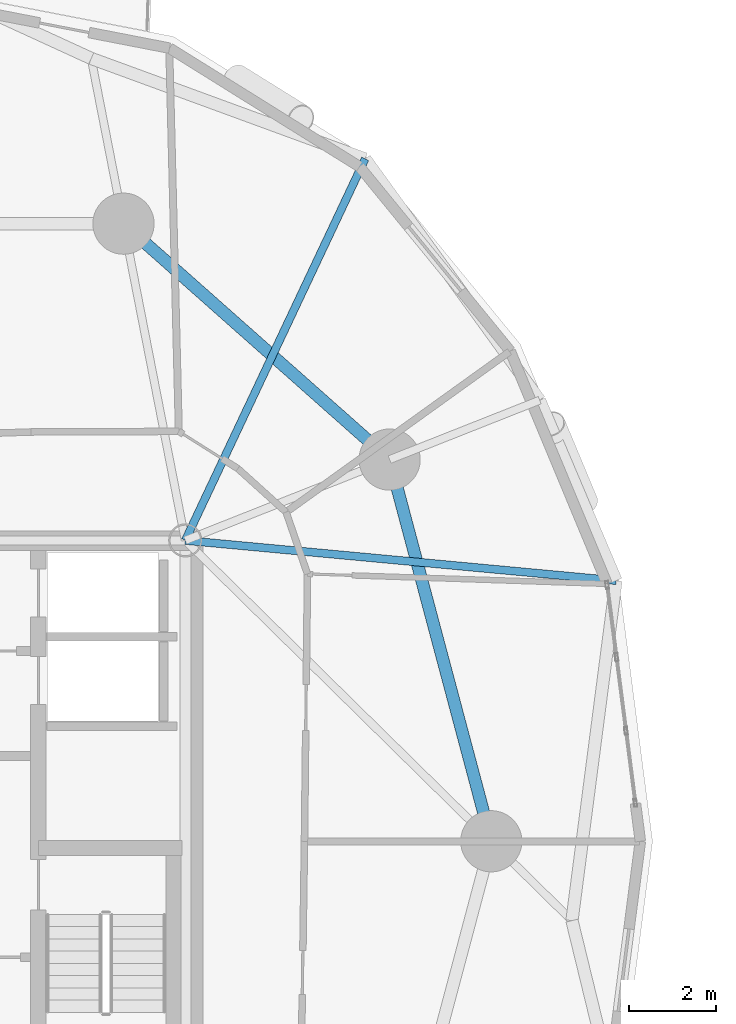
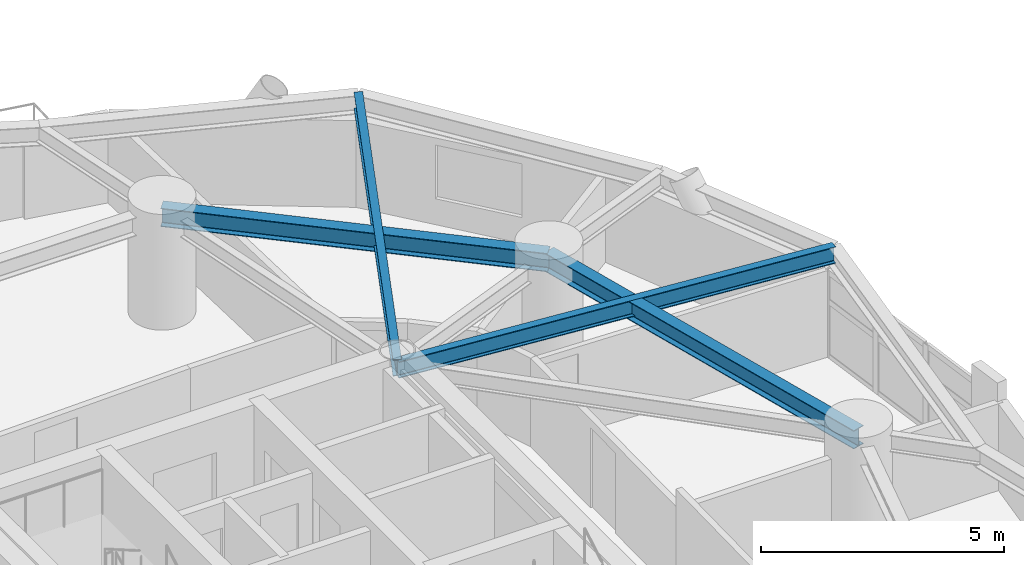
# One storey, part 3 of 17: 4 beams.
"""IFC4 building model written with IfcOpenShell, lengths in metres."""

from ifc_helpers import new_model, si_unit, direction, frame, origin, origin_2d, place, context, subcontext, project, spatial, i_section, extrude, material, material_profile, profile_set, type_object, element, save


model = new_model("IFC4")

# Units and contexts
model_context = context("Model", 3, precision=1e-05, world=origin(), true_north=direction((0.0, 1.0)))
body_context = subcontext(model_context, "Body", "Model", "MODEL_VIEW")
ifc_project = project(units=[si_unit("LENGTHUNIT", "METRE"), si_unit("AREAUNIT", "SQUARE_METRE"), si_unit("VOLUMEUNIT", "CUBIC_METRE"), si_unit("PLANEANGLEUNIT", "RADIAN"), si_unit("MASSUNIT", "GRAM", prefix="KILO")], contexts=[model_context])

# Site, building, storey
site_placement = place(None, origin())
site = spatial("IfcSite", under=ifc_project, at=site_placement, CompositionType="ELEMENT")
building_placement = place(site_placement, origin())
building = spatial("IfcBuilding", under=site, at=building_placement, Name="Cununo Teusaquillo Station Towers", CompositionType="ELEMENT")
storey_placement = place(building_placement, frame((0.0, 0.0, 78.8798828125)))
storey = spatial("IfcBuildingStorey", under=building, at=storey_placement, Name="L24", CompositionType="ELEMENT", Elevation=78.8798828125)

# Beams
ifc_material_1 = material(Name="Steel ASTM A572 Grade 50", Category="steel")
ifc_material_profile_1 = material_profile(ifc_material_1, i_section(OverallWidth=0.180908203125, OverallDepth=0.4169921875, WebThickness=0.010986328125, FlangeThickness=0.018310546875, FilletRadius=0.012939453125, at=origin_2d()), Name="W16X57")
ifc_profile_set_1 = profile_set([ifc_material_profile_1], Name="Steel ASTM A572 Grade 50")
beam_type_1 = type_object("IfcBeamType", Name="BM-JOIST-1", PredefinedType="JOIST", material=ifc_profile_set_1)
beam_1_placement = place(storey_placement, frame((21.675048828125, 31.3798828125, 2.461669921875), z_axis=(0.995678537907, -0.09286683558, 0.0), x_axis=(0.09286683558, 0.995678537907, 0.0)))
element("IfcBeam", 1, at=beam_1_placement, inside=storey, type_object=beam_type_1, Name="L24 Tower A Radial Spandrel Joist V01", PredefinedType="JOIST", context=body_context, shape_type="SweptSolid", body=[
    extrude(i_section(OverallWidth=0.180908203125, OverallDepth=0.4169921875, WebThickness=0.010986328125, FlangeThickness=0.018310546875, FilletRadius=0.012939453125, at=origin_2d()), origin(), (0.0, 0.0, 1.0), 9.895263671875),
])
beam_2_placement = place(storey_placement, frame((21.675048828125, 31.3798828125, 2.461669921875), z_axis=(0.426319838016, 0.904572493344, 0.0), x_axis=(-0.904572493344, 0.426319838016, 0.0)))
element("IfcBeam", 2, at=beam_2_placement, inside=storey, type_object=beam_type_1, Name="L24 Tower A Radial Spandrel Joist V03", PredefinedType="JOIST", context=body_context, shape_type="SweptSolid", body=[
    extrude(i_section(OverallWidth=0.180908203125, OverallDepth=0.4169921875, WebThickness=0.010986328125, FlangeThickness=0.018310546875, FilletRadius=0.012939453125, at=origin_2d()), origin(), (0.0, 0.0, 1.0), 9.646728515625),
])
ifc_material_2 = material(Name="Steel ASTM A572 Grade 50", Category="steel")
ifc_material_profile_2 = material_profile(ifc_material_2, i_section(OverallWidth=0.280029296875, OverallDepth=0.462890625, WebThickness=0.0107421875, FlangeThickness=0.017333984375, FilletRadius=0.013916015625, at=origin_2d()), Name="W18X76")
ifc_profile_set_2 = profile_set([ifc_material_profile_2], Name="Steel ASTM A572 Grade 50")
beam_type_2 = type_object("IfcBeamType", Name="BM-RING-Z2", PredefinedType="SPANDREL", material=ifc_profile_set_2)
beam_3_placement = place(storey_placement, frame((28.672119140625, 24.5, 2.438720703125), z_axis=(-0.257363196347, 0.966314744359, 0.0), x_axis=(-0.966314744359, -0.257363196347, 0.0)))
element("IfcBeam", 3, at=beam_3_placement, inside=storey, type_object=beam_type_2, Name="L24 Tower A Structural Column Ring Girder 01", PredefinedType="SPANDREL", context=body_context, shape_type="SweptSolid", body=[
    extrude(i_section(OverallWidth=0.280029296875, OverallDepth=0.462890625, WebThickness=0.0107421875, FlangeThickness=0.017333984375, FilletRadius=0.013916015625, at=origin_2d()), origin(), (0.0, 0.0, 1.0), 9.03271484375),
])
beam_4_placement = place(storey_placement, frame((26.347412109375, 33.228515625, 2.438720703125), z_axis=(-0.74832120039, 0.66333655187, 0.0), x_axis=(-0.66333655187, -0.74832120039, 0.0)))
element("IfcBeam", 4, at=beam_4_placement, inside=storey, type_object=beam_type_2, Name="L24 Tower A Structural Column Ring Girder 02", PredefinedType="SPANDREL", context=body_context, shape_type="SweptSolid", body=[
    extrude(i_section(OverallWidth=0.280029296875, OverallDepth=0.462890625, WebThickness=0.0107421875, FlangeThickness=0.017333984375, FilletRadius=0.013916015625, at=origin_2d()), origin(), (0.0, 0.0, 1.0), 8.1328125),
])

save(model, "model.ifc")
